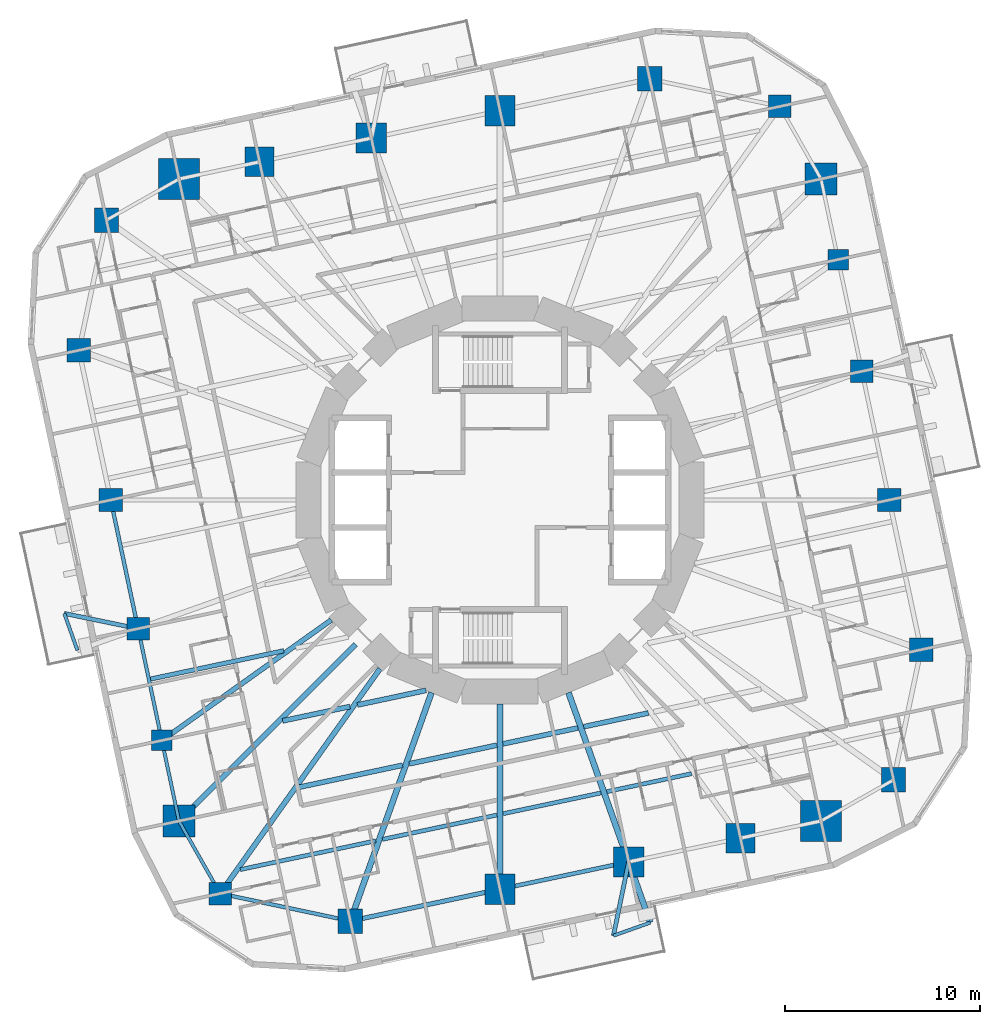
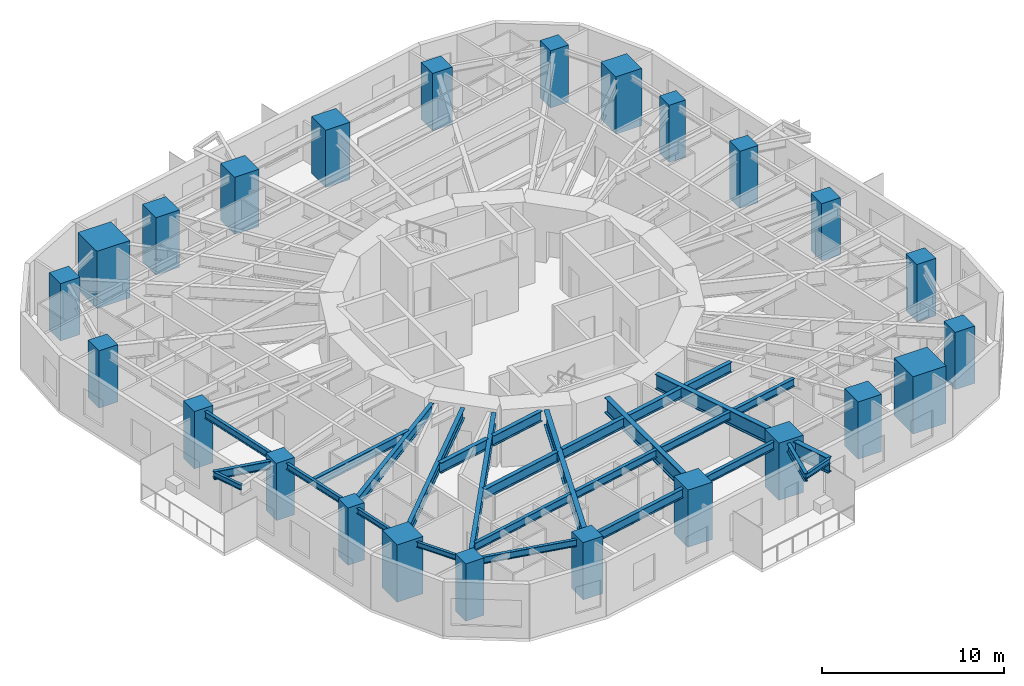
# One storey, part 1 of 14: 28 beams, 24 columns.
"""IFC4 building model written with IfcOpenShell, lengths in metres."""

from ifc_helpers import new_model, si_unit, direction, frame, origin, origin_2d, place, context, subcontext, project, spatial, rectangle, i_section, extrude, material, material_profile, profile_set, type_object, element, save


model = new_model("IFC4")

# Units and contexts
model_context = context("Model", 3, precision=1e-05, world=origin(), true_north=direction((0.0, 1.0)))
body_context = subcontext(model_context, "Body", "Model", "MODEL_VIEW")
ifc_project = project(units=[si_unit("LENGTHUNIT", "METRE"), si_unit("AREAUNIT", "SQUARE_METRE"), si_unit("VOLUMEUNIT", "CUBIC_METRE"), si_unit("PLANEANGLEUNIT", "RADIAN"), si_unit("MASSUNIT", "GRAM", prefix="KILO")], contexts=[model_context])

# Site, building, storey
site_placement = place(None, origin())
site = spatial("IfcSite", under=ifc_project, at=site_placement, CompositionType="ELEMENT")
building_placement = place(site_placement, origin())
building = spatial("IfcBuilding", under=site, at=building_placement, Name="Nakasero Lantern House", CompositionType="ELEMENT")
storey_placement = place(building_placement, frame((0.0, 0.0, 116.550048828125)))
storey = spatial("IfcBuildingStorey", under=building, at=storey_placement, Name="L28", CompositionType="ELEMENT", Elevation=116.550048828125)

# Columns
ifc_material_1 = material(Name="Concrete C50/60", Category="concrete")
ifc_material_profile_1 = material_profile(ifc_material_1, rectangle(XDim=1.64990234375, YDim=1.64990234375, at=origin_2d()), Name="RC 1650x1650")
ifc_profile_set_1 = profile_set([ifc_material_profile_1], Name="Concrete C50/60")
column_type_1 = type_object("IfcColumnType", Name="Mega column RC 1650x1650 C50/60", PredefinedType="COLUMN", material=ifc_profile_set_1)
for number, where, z_axis, x_axis, name in (
    (1, (16.44091796875, 16.44091796875, 0.0), (0.0, 0.0, 1.0), (1.0, 0.0, 0.0), "Column B3-C06 L28"),
    (2, (-16.44091796875, -16.44091796875, 0.0), (0.0, 0.0, 1.0), (1.0, 0.0, 0.0), "Column B3-C18 L28"),
):
    element("IfcColumn", number, at=place(storey_placement, frame(where, z_axis=z_axis, x_axis=x_axis)), inside=storey, type_object=column_type_1, Name=name, PredefinedType="COLUMN", context=body_context, shape_type="SweptSolid", body=[
        extrude(rectangle(XDim=1.64990234375, YDim=1.64990234375, at=origin_2d()), origin(), (0.0, 0.0, 1.0), 3.849853515625),
    ])
ifc_material_2 = material(Name="Concrete C50/60", Category="concrete")
ifc_material_profile_2 = material_profile(ifc_material_2, rectangle(XDim=2.10009765625, YDim=2.10009765625, at=origin_2d()), Name="RC 2100x2100")
ifc_profile_set_2 = profile_set([ifc_material_profile_2], Name="Concrete C50/60")
column_type_2 = type_object("IfcColumnType", Name="Mega column RC 2100x2100 C50/60", PredefinedType="COLUMN", material=ifc_profile_set_2)
for number, where, z_axis, x_axis, name in (
    (3, (-16.44091796875, 16.44091796875, 0.0), (0.0, 0.0, 1.0), (1.0, 0.0, 0.0), "Column B3-C12 L28"),
    (4, (16.44091796875, -16.44091796875, 0.0), (0.0, 0.0, 1.0), (1.0, 0.0, 0.0), "Column B3-C24 L28"),
):
    element("IfcColumn", number, at=place(storey_placement, frame(where, z_axis=z_axis, x_axis=x_axis)), inside=storey, type_object=column_type_2, Name=name, PredefinedType="COLUMN", context=body_context, shape_type="SweptSolid", body=[
        extrude(rectangle(XDim=2.10009765625, YDim=2.10009765625, at=origin_2d()), origin(), (0.0, 0.0, 1.0), 3.849853515625),
    ])
ifc_material_3 = material(Name="Concrete C50/60", Category="concrete")
ifc_material_profile_3 = material_profile(ifc_material_3, rectangle(XDim=1.050048828125, YDim=1.050048828125, at=origin_2d()), Name="RC 1050x1050")
ifc_profile_set_3 = profile_set([ifc_material_profile_3], Name="Concrete C50/60")
column_type_3 = type_object("IfcColumnType", Name="Ring column RC 1050x1050 C50/60", PredefinedType="COLUMN", material=ifc_profile_set_3)
for number, where, z_axis, x_axis, name in (
    (5, (17.318115234375, 12.31494140625, 0.0), (0.0, 0.0, 1.0), (1.0, 0.0, 0.0), "Column B3-C05 L28"),
    (6, (-17.318115234375, -12.31494140625, 0.0), (0.0, 0.0, 1.0), (1.0, 0.0, 0.0), "Column B3-C17 L28"),
):
    element("IfcColumn", number, at=place(storey_placement, frame(where, z_axis=z_axis, x_axis=x_axis)), inside=storey, type_object=column_type_3, Name=name, PredefinedType="COLUMN", context=body_context, shape_type="SweptSolid", body=[
        extrude(rectangle(XDim=1.050048828125, YDim=1.050048828125, at=origin_2d()), origin(), (0.0, 0.0, 1.0), 3.849853515625),
    ])
ifc_material_4 = material(Name="Concrete C50/60", Category="concrete")
ifc_material_profile_4 = material_profile(ifc_material_4, rectangle(XDim=1.14990234375, YDim=1.14990234375, at=origin_2d()), Name="RC 1150x1150")
ifc_profile_set_4 = profile_set([ifc_material_profile_4], Name="Concrete C50/60")
column_type_4 = type_object("IfcColumnType", Name="Ring column RC 1150x1150 C50/60", PredefinedType="COLUMN", material=ifc_profile_set_4)
for number, where, z_axis, x_axis, name in (
    (7, (18.534912109375, 6.590087890625, 0.0), (0.0, 0.0, 1.0), (1.0, 0.0, 0.0), "Column B3-C04 L28"),
    (8, (14.33349609375, 20.15625, 0.0), (0.0, 0.0, 1.0), (1.0, 0.0, 0.0), "Column B3-C07 L28"),
    (9, (-18.534912109375, -6.590087890625, 0.0), (0.0, 0.0, 1.0), (1.0, 0.0, 0.0), "Column B3-C16 L28"),
    (10, (-14.33349609375, -20.15625, 0.0), (0.0, 0.0, 1.0), (1.0, 0.0, 0.0), "Column B3-C19 L28"),
):
    element("IfcColumn", number, at=place(storey_placement, frame(where, z_axis=z_axis, x_axis=x_axis)), inside=storey, type_object=column_type_4, Name=name, PredefinedType="COLUMN", context=body_context, shape_type="SweptSolid", body=[
        extrude(rectangle(XDim=1.14990234375, YDim=1.14990234375, at=origin_2d()), origin(), (0.0, 0.0, 1.0), 3.849853515625),
    ])
ifc_material_5 = material(Name="Concrete C50/60", Category="concrete")
ifc_material_profile_5 = material_profile(ifc_material_5, rectangle(XDim=1.199951171875, YDim=1.199951171875, at=origin_2d()), Name="RC 1200x1200")
ifc_profile_set_5 = profile_set([ifc_material_profile_5], Name="Concrete C50/60")
column_type_5 = type_object("IfcColumnType", Name="Ring column RC 1200x1200 C50/60", PredefinedType="COLUMN", material=ifc_profile_set_5)
for number, where, z_axis, x_axis, name in (
    (11, (21.5654296875, -7.667724609375, 0.0), (0.0, 0.0, 1.0), (1.0, 0.0, 0.0), "Column B3-C02 L28"),
    (12, (19.935546875, 0.0, 0.0), (0.0, 0.0, 1.0), (1.0, 0.0, 0.0), "Column B3-C03 L28"),
    (13, (-21.5654296875, 7.667724609375, 0.0), (0.0, 0.0, 1.0), (1.0, 0.0, 0.0), "Column B3-C14 L28"),
    (14, (-19.935546875, 0.0, 0.0), (0.0, 0.0, 1.0), (1.0, 0.0, 0.0), "Column B3-C15 L28"),
):
    element("IfcColumn", number, at=place(storey_placement, frame(where, z_axis=z_axis, x_axis=x_axis)), inside=storey, type_object=column_type_5, Name=name, PredefinedType="COLUMN", context=body_context, shape_type="SweptSolid", body=[
        extrude(rectangle(XDim=1.199951171875, YDim=1.199951171875, at=origin_2d()), origin(), (0.0, 0.0, 1.0), 3.849853515625),
    ])
ifc_material_6 = material(Name="Concrete C50/60", Category="concrete")
ifc_material_profile_6 = material_profile(ifc_material_6, rectangle(XDim=1.25, YDim=1.25, at=origin_2d()), Name="RC 1250x1250")
ifc_profile_set_6 = profile_set([ifc_material_profile_6], Name="Concrete C50/60")
column_type_6 = type_object("IfcColumnType", Name="Ring column RC 1250x1250 C50/60", PredefinedType="COLUMN", material=ifc_profile_set_6)
for number, where, z_axis, x_axis, name in (
    (15, (20.15625, -14.33349609375, 0.0), (0.0, 0.0, 1.0), (1.0, 0.0, 0.0), "Column B3-C01 L28"),
    (16, (7.667724609375, 21.5654296875, 0.0), (0.0, 0.0, 1.0), (1.0, 0.0, 0.0), "Column B3-C08 L28"),
    (17, (-20.15625, 14.33349609375, 0.0), (0.0, 0.0, 1.0), (1.0, 0.0, 0.0), "Column B3-C13 L28"),
    (18, (-7.667724609375, -21.5654296875, 0.0), (0.0, 0.0, 1.0), (1.0, 0.0, 0.0), "Column B3-C20 L28"),
):
    element("IfcColumn", number, at=place(storey_placement, frame(where, z_axis=z_axis, x_axis=x_axis)), inside=storey, type_object=column_type_6, Name=name, PredefinedType="COLUMN", context=body_context, shape_type="SweptSolid", body=[
        extrude(rectangle(XDim=1.25, YDim=1.25, at=origin_2d()), origin(), (0.0, 0.0, 1.0), 3.849853515625),
    ])
ifc_material_7 = material(Name="Concrete C50/60", Category="concrete")
ifc_material_profile_7 = material_profile(ifc_material_7, rectangle(XDim=1.5, YDim=1.5, at=origin_2d()), Name="RC 1500x1500")
ifc_profile_set_7 = profile_set([ifc_material_profile_7], Name="Concrete C50/60")
column_type_7 = type_object("IfcColumnType", Name="Ring column RC 1500x1500 C50/60", PredefinedType="COLUMN", material=ifc_profile_set_7)
for number, where, z_axis, x_axis, name in (
    (19, (-12.31494140625, 17.318115234375, 0.0), (0.0, 0.0, 1.0), (1.0, 0.0, 0.0), "Column B3-C11 L28"),
    (20, (12.31494140625, -17.318115234375, 0.0), (0.0, 0.0, 1.0), (1.0, 0.0, 0.0), "Column B3-C23 L28"),
):
    element("IfcColumn", number, at=place(storey_placement, frame(where, z_axis=z_axis, x_axis=x_axis)), inside=storey, type_object=column_type_7, Name=name, PredefinedType="COLUMN", context=body_context, shape_type="SweptSolid", body=[
        extrude(rectangle(XDim=1.5, YDim=1.5, at=origin_2d()), origin(), (0.0, 0.0, 1.0), 3.849853515625),
    ])
ifc_material_8 = material(Name="Concrete C50/60", Category="concrete")
ifc_material_profile_8 = material_profile(ifc_material_8, rectangle(XDim=1.550048828125, YDim=1.550048828125, at=origin_2d()), Name="RC 1550x1550")
ifc_profile_set_8 = profile_set([ifc_material_profile_8], Name="Concrete C50/60")
column_type_8 = type_object("IfcColumnType", Name="Ring column RC 1550x1550 C50/60", PredefinedType="COLUMN", material=ifc_profile_set_8)
for number, where, z_axis, x_axis, name in (
    (21, (0.0, 19.935546875, 0.0), (0.0, 0.0, 1.0), (1.0, 0.0, 0.0), "Column B3-C09 L28"),
    (22, (-6.590087890625, 18.534912109375, 0.0), (0.0, 0.0, 1.0), (1.0, 0.0, 0.0), "Column B3-C10 L28"),
    (23, (0.0, -19.935546875, 0.0), (0.0, 0.0, 1.0), (1.0, 0.0, 0.0), "Column B3-C21 L28"),
    (24, (6.590087890625, -18.534912109375, 0.0), (0.0, 0.0, 1.0), (1.0, 0.0, 0.0), "Column B3-C22 L28"),
):
    element("IfcColumn", number, at=place(storey_placement, frame(where, z_axis=z_axis, x_axis=x_axis)), inside=storey, type_object=column_type_8, Name=name, PredefinedType="COLUMN", context=body_context, shape_type="SweptSolid", body=[
        extrude(rectangle(XDim=1.550048828125, YDim=1.550048828125, at=origin_2d()), origin(), (0.0, 0.0, 1.0), 3.849853515625),
    ])

# Beams
ifc_material_9 = material(Name="Steel S355", Category="steel")
ifc_material_profile_9 = material_profile(ifc_material_9, i_section(OverallWidth=0.2138671875, OverallDepth=0.549072265625, WebThickness=0.0146484375, FlangeThickness=0.023681640625, FilletRadius=0.0126953125, at=origin_2d()), Name="UB 533x210x138")
ifc_profile_set_9 = profile_set([ifc_material_profile_9], Name="Steel S355")
beam_type_1 = type_object("IfcBeamType", Name="Balcony splay beam UB 533x210x138", PredefinedType="BEAM", material=ifc_profile_set_9)
for number, where, z_axis, x_axis, name in (
    (25, (-18.534912109375, -6.590087890625, 3.37548828125), (-0.979420272605, 0.201831438605, 0.0), (-0.201831438605, -0.979420272605, 0.0), "Balcony splay beam L29 B3-C16A"),
    (26, (6.590087890625, -18.534912109375, 3.37548828125), (-0.201831438605, -0.979420272605, 0.0), (0.979420272605, -0.201831438605, 0.0), "Balcony splay beam L29 B3-C22A"),
):
    element("IfcBeam", number, at=place(storey_placement, frame(where, z_axis=z_axis, x_axis=x_axis)), inside=storey, type_object=beam_type_1, Name=name, PredefinedType="BEAM", context=body_context, shape_type="SweptSolid", body=[
        extrude(i_section(OverallWidth=0.2138671875, OverallDepth=0.549072265625, WebThickness=0.0146484375, FlangeThickness=0.023681640625, FilletRadius=0.0126953125, at=origin_2d()), origin(), (0.0, 0.0, 1.0), 3.858642578125),
    ])
ifc_material_10 = material(Name="Steel S355", Category="steel")
ifc_material_profile_10 = material_profile(ifc_material_10, i_section(OverallWidth=0.17138671875, OverallDepth=0.35498046875, WebThickness=0.00732421875, FlangeThickness=0.011474609375, FilletRadius=0.01025390625, at=origin_2d()), Name="UB 356x171x51")
ifc_profile_set_10 = profile_set([ifc_material_profile_10], Name="Steel S355")
beam_type_2 = type_object("IfcBeamType", Name="Balcony tie beam UB 356x171x51", PredefinedType="BEAM", material=ifc_profile_set_10)
for number, where, z_axis, x_axis, name in (
    (27, (-22.314208984375, -5.811279296875, 3.472412109375), (0.335060236487, -0.942196708721, 0.0), (0.942196708721, 0.335060236487, 0.0), "Balcony tie beam L29 B3-C16"),
    (28, (5.811279296875, -22.314208984375, 3.472412109375), (0.942196708721, 0.335060236487, 0.0), (-0.335060236487, 0.942196708721, 0.0), "Balcony tie beam L29 B3-C22"),
):
    element("IfcBeam", number, at=place(storey_placement, frame(where, z_axis=z_axis, x_axis=x_axis)), inside=storey, type_object=beam_type_2, Name=name, PredefinedType="BEAM", context=body_context, shape_type="SweptSolid", body=[
        extrude(i_section(OverallWidth=0.17138671875, OverallDepth=0.35498046875, WebThickness=0.00732421875, FlangeThickness=0.011474609375, FilletRadius=0.01025390625, at=origin_2d()), origin(), (0.0, 0.0, 1.0), 2.000244140625),
    ])
ifc_material_11 = material(Name="Steel S355", Category="steel")
ifc_material_profile_11 = material_profile(ifc_material_11, i_section(OverallWidth=0.2099609375, OverallDepth=0.53662109375, WebThickness=0.0107421875, FlangeThickness=0.017333984375, FilletRadius=0.0126953125, at=origin_2d()), Name="UB 533x210x101")
ifc_profile_set_11 = profile_set([ifc_material_profile_11], Name="Steel S355")
beam_type_3 = type_object("IfcBeamType", Name="Infill beam UB 533x210x101", PredefinedType="JOIST", material=ifc_profile_set_11)
beam_1_placement = place(storey_placement, frame((-13.29638671875, -18.927978515625, 3.381591796875), z_axis=(0.978149480204, 0.207902848411, 0.0), x_axis=(-0.207902848411, 0.978149480204, 0.0)))
element("IfcBeam", 29, at=beam_1_placement, inside=storey, type_object=beam_type_3, Name="Infill beam L29 03.1", PredefinedType="JOIST", context=body_context, shape_type="SweptSolid", body=[
    extrude(i_section(OverallWidth=0.2099609375, OverallDepth=0.53662109375, WebThickness=0.0107421875, FlangeThickness=0.017333984375, FilletRadius=0.0126953125, at=origin_2d()), origin(), (0.0, 0.0, 1.0), 7.085693359375),
])
beam_2_placement = place(storey_placement, frame((-6.02099609375, -17.381591796875, 3.381591796875), z_axis=(0.978149438519, 0.207903044531, 0.0), x_axis=(-0.207903044531, 0.978149438519, 0.0)))
element("IfcBeam", 30, at=beam_2_placement, inside=storey, type_object=beam_type_3, Name="Infill beam L29 03.2", PredefinedType="JOIST", context=body_context, shape_type="SweptSolid", body=[
    extrude(i_section(OverallWidth=0.2099609375, OverallDepth=0.53662109375, WebThickness=0.0107421875, FlangeThickness=0.017333984375, FilletRadius=0.0126953125, at=origin_2d()), origin(), (0.0, 0.0, 1.0), 5.99951171875),
])
beam_3_placement = place(storey_placement, frame((0.152587890625, -16.0693359375, 3.381591796875), z_axis=(0.978153894908, 0.207882076853, 0.0), x_axis=(-0.207882076853, 0.978153894908, 0.0)))
element("IfcBeam", 31, at=beam_3_placement, inside=storey, type_object=beam_type_3, Name="Infill beam L29 03.3", PredefinedType="JOIST", context=body_context, shape_type="SweptSolid", body=[
    extrude(i_section(OverallWidth=0.2099609375, OverallDepth=0.53662109375, WebThickness=0.0107421875, FlangeThickness=0.017333984375, FilletRadius=0.0126953125, at=origin_2d()), origin(), (0.0, 0.0, 1.0), 5.13330078125),
])
beam_4_placement = place(storey_placement, frame((5.471923828125, -14.938720703125, 3.381591796875), z_axis=(0.978149057111, 0.207904838982, 0.0), x_axis=(-0.207904838982, 0.978149057111, 0.0)))
element("IfcBeam", 32, at=beam_4_placement, inside=storey, type_object=beam_type_3, Name="Infill beam L29 03.4", PredefinedType="JOIST", context=body_context, shape_type="SweptSolid", body=[
    extrude(i_section(OverallWidth=0.2099609375, OverallDepth=0.53662109375, WebThickness=0.0107421875, FlangeThickness=0.017333984375, FilletRadius=0.0126953125, at=origin_2d()), origin(), (0.0, 0.0, 1.0), 4.435302734375),
])
ifc_material_12 = material(Name="Steel S355", Category="steel")
ifc_material_profile_12 = material_profile(ifc_material_12, i_section(OverallWidth=0.2275390625, OverallDepth=0.6025390625, WebThickness=0.010498046875, FlangeThickness=0.014892578125, FilletRadius=0.0126953125, at=origin_2d()), Name="UB 610x229x101")
ifc_profile_set_12 = profile_set([ifc_material_profile_12], Name="Steel S355")
beam_type_4 = type_object("IfcBeamType", Name="Infill beam UB 610x229x101", PredefinedType="JOIST", material=ifc_profile_set_12)
beam_5_placement = place(storey_placement, frame((-17.895263671875, -9.171142578125, 3.3486328125), z_axis=(0.978143535939, 0.207930813255, 0.0), x_axis=(-0.207930813255, 0.978143535939, 0.0)))
element("IfcBeam", 33, at=beam_5_placement, inside=storey, type_object=beam_type_4, Name="Infill beam L29 06.1", PredefinedType="JOIST", context=body_context, shape_type="SweptSolid", body=[
    extrude(i_section(OverallWidth=0.2275390625, OverallDepth=0.6025390625, WebThickness=0.010498046875, FlangeThickness=0.014892578125, FilletRadius=0.0126953125, at=origin_2d()), origin(), (0.0, 0.0, 1.0), 6.9697265625),
])
ifc_material_13 = material(Name="Steel S355", Category="steel")
ifc_material_profile_13 = material_profile(ifc_material_13, i_section(OverallWidth=0.253662109375, OverallDepth=0.68359375, WebThickness=0.012451171875, FlangeThickness=0.01904296875, FilletRadius=0.01513671875, at=origin_2d()), Name="UB 686x254x140")
ifc_profile_set_13 = profile_set([ifc_material_profile_13], Name="Steel S355")
beam_type_5 = type_object("IfcBeamType", Name="Infill beam UB 686x254x140", PredefinedType="JOIST", material=ifc_profile_set_13)
beam_6_placement = place(storey_placement, frame((-10.298828125, -14.712646484375, 3.30810546875), z_axis=(0.978155764637, 0.207873278962, 0.0), x_axis=(-0.207873278962, 0.978155764637, 0.0)))
element("IfcBeam", 34, at=beam_6_placement, inside=storey, type_object=beam_type_5, Name="Infill beam L29 04.1", PredefinedType="JOIST", context=body_context, shape_type="SweptSolid", body=[
    extrude(i_section(OverallWidth=0.253662109375, OverallDepth=0.68359375, WebThickness=0.012451171875, FlangeThickness=0.01904296875, FilletRadius=0.01513671875, at=origin_2d()), origin(), (0.0, 0.0, 1.0), 5.428466796875),
])
beam_7_placement = place(storey_placement, frame((-4.644775390625, -13.510986328125, 3.30810546875), z_axis=(0.978148041119, 0.207909618957, 0.0), x_axis=(-0.207909618957, 0.978148041119, 0.0)))
element("IfcBeam", 35, at=beam_7_placement, inside=storey, type_object=beam_type_5, Name="Infill beam L29 04.2", PredefinedType="JOIST", context=body_context, shape_type="SweptSolid", body=[
    extrude(i_section(OverallWidth=0.253662109375, OverallDepth=0.68359375, WebThickness=0.012451171875, FlangeThickness=0.01904296875, FilletRadius=0.01513671875, at=origin_2d()), origin(), (0.0, 0.0, 1.0), 4.592529296875),
])
beam_8_placement = place(storey_placement, frame((0.152587890625, -12.4912109375, 3.30810546875), z_axis=(0.978145250615, 0.20792274695, 0.0), x_axis=(-0.20792274695, 0.978145250615, 0.0)))
element("IfcBeam", 36, at=beam_8_placement, inside=storey, type_object=beam_type_5, Name="Infill beam L29 04.3", PredefinedType="JOIST", context=body_context, shape_type="SweptSolid", body=[
    extrude(i_section(OverallWidth=0.253662109375, OverallDepth=0.68359375, WebThickness=0.012451171875, FlangeThickness=0.01904296875, FilletRadius=0.01513671875, at=origin_2d()), origin(), (0.0, 0.0, 1.0), 3.924072265625),
])
beam_9_placement = place(storey_placement, frame((4.2890625, -11.612060546875, 3.30810546875), z_axis=(0.978143084163, 0.207932938478, 0.0), x_axis=(-0.207932938478, 0.978143084163, 0.0)))
element("IfcBeam", 37, at=beam_9_placement, inside=storey, type_object=beam_type_5, Name="Infill beam L29 04.4", PredefinedType="JOIST", context=body_context, shape_type="SweptSolid", body=[
    extrude(i_section(OverallWidth=0.253662109375, OverallDepth=0.68359375, WebThickness=0.012451171875, FlangeThickness=0.01904296875, FilletRadius=0.01513671875, at=origin_2d()), origin(), (0.0, 0.0, 1.0), 3.385009765625),
])
ifc_material_14 = material(Name="Steel S355", Category="steel")
ifc_material_profile_14 = material_profile(ifc_material_14, i_section(OverallWidth=0.255859375, OverallDepth=0.69287109375, WebThickness=0.014404296875, FlangeThickness=0.023681640625, FilletRadius=0.01513671875, at=origin_2d()), Name="UB 686x254x170")
ifc_profile_set_14 = profile_set([ifc_material_profile_14], Name="Steel S355")
beam_type_6 = type_object("IfcBeamType", Name="Infill beam UB 686x254x170", PredefinedType="JOIST", material=ifc_profile_set_14)
beam_10_placement = place(storey_placement, frame((-11.13232421875, -11.311767578125, 3.303466796875), z_axis=(0.97814493323, 0.20792424004, 0.0), x_axis=(-0.20792424004, 0.97814493323, 0.0)))
element("IfcBeam", 38, at=beam_10_placement, inside=storey, type_object=beam_type_6, Name="Infill beam L29 05.1", PredefinedType="JOIST", context=body_context, shape_type="SweptSolid", body=[
    extrude(i_section(OverallWidth=0.255859375, OverallDepth=0.69287109375, WebThickness=0.014404296875, FlangeThickness=0.023681640625, FilletRadius=0.01513671875, at=origin_2d()), origin(), (0.0, 0.0, 1.0), 3.5224609375),
])
beam_11_placement = place(storey_placement, frame((-7.30126953125, -10.497314453125, 3.303466796875), z_axis=(0.978149176892, 0.207904275439, 0.0), x_axis=(-0.207904275439, 0.978149176892, 0.0)))
element("IfcBeam", 39, at=beam_11_placement, inside=storey, type_object=beam_type_6, Name="Infill beam L29 05.2", PredefinedType="JOIST", context=body_context, shape_type="SweptSolid", body=[
    extrude(i_section(OverallWidth=0.255859375, OverallDepth=0.69287109375, WebThickness=0.014404296875, FlangeThickness=0.023681640625, FilletRadius=0.01513671875, at=origin_2d()), origin(), (0.0, 0.0, 1.0), 3.59228515625),
])
ifc_material_15 = material(Name="Steel S355", Category="steel")
ifc_material_profile_15 = material_profile(ifc_material_15, i_section(OverallWidth=0.300048828125, OverallDepth=0.989990234375, WebThickness=0.0166015625, FlangeThickness=0.031005859375, FilletRadius=0.030029296875, at=origin_2d()), Name="UB 1016x305x272")
ifc_profile_set_15 = profile_set([ifc_material_profile_15], Name="Steel S355")
beam_type_7 = type_object("IfcBeamType", Name="Primary beam UB 1016x305x272, span 12 to 15 m", PredefinedType="BEAM", material=ifc_profile_set_15)
beam_12_placement = place(storey_placement, frame((-7.667724609375, -21.5654296875, 3.15478515625), z_axis=(0.335011995103, 0.942213862739, 0.0), x_axis=(-0.942213862739, 0.335011995103, 0.0)))
element("IfcBeam", 40, at=beam_12_placement, inside=storey, type_object=beam_type_7, Name="Primary beam L29 B3-C20", PredefinedType="BEAM", context=body_context, shape_type="SweptSolid", body=[
    extrude(i_section(OverallWidth=0.300048828125, OverallDepth=0.989990234375, WebThickness=0.0166015625, FlangeThickness=0.031005859375, FilletRadius=0.030029296875, at=origin_2d()), origin(), (0.0, 0.0, 1.0), 12.41650390625),
])
ifc_material_16 = material(Name="Steel S355", Category="steel")
ifc_material_profile_16 = material_profile(ifc_material_16, i_section(OverallWidth=0.302001953125, OverallDepth=1.008056640625, WebThickness=0.02099609375, FlangeThickness=0.0400390625, FilletRadius=0.030029296875, at=origin_2d()), Name="UB 1016x305x349")
ifc_profile_set_16 = profile_set([ifc_material_profile_16], Name="Steel S355")
beam_type_8 = type_object("IfcBeamType", Name="Primary beam UB 1016x305x349, span 9 to 12 m", PredefinedType="BEAM", material=ifc_profile_set_16)
beam_13_placement = place(storey_placement, frame((7.69580078125, -21.64404296875, 3.14599609375), z_axis=(-0.335020841845, 0.942210717159, 0.0), x_axis=(-0.942210717159, -0.335020841845, 0.0)))
element("IfcBeam", 41, at=beam_13_placement, inside=storey, type_object=beam_type_8, Name="Primary beam L29 B3-C22", PredefinedType="BEAM", context=body_context, shape_type="SweptSolid", body=[
    extrude(i_section(OverallWidth=0.302001953125, OverallDepth=1.008056640625, WebThickness=0.02099609375, FlangeThickness=0.0400390625, FilletRadius=0.030029296875, at=origin_2d()), origin(), (0.0, 0.0, 1.0), 12.5),
])
ifc_material_17 = material(Name="Steel S355", Category="steel")
ifc_material_profile_17 = material_profile(ifc_material_17, i_section(OverallWidth=0.305419921875, OverallDepth=1.026123046875, WebThickness=0.02685546875, FlangeThickness=0.049072265625, FilletRadius=0.030029296875, at=origin_2d()), Name="UB 1016x305x437")
ifc_profile_set_17 = profile_set([ifc_material_profile_17], Name="Steel S355")
beam_type_9 = type_object("IfcBeamType", Name="Primary beam UB 1016x305x437, span 9 to 12 m", PredefinedType="BEAM", material=ifc_profile_set_17)
beam_14_placement = place(storey_placement, frame((0.0, -19.935546875, 3.136962890625), z_axis=(0.0, 1.0, 0.0), x_axis=(-1.0, 0.0, 0.0)))
element("IfcBeam", 42, at=beam_14_placement, inside=storey, type_object=beam_type_9, Name="Primary beam L29 B3-C21", PredefinedType="BEAM", context=body_context, shape_type="SweptSolid", body=[
    extrude(i_section(OverallWidth=0.305419921875, OverallDepth=1.026123046875, WebThickness=0.02685546875, FlangeThickness=0.049072265625, FilletRadius=0.030029296875, at=origin_2d()), origin(), (0.0, 0.0, 1.0), 9.477783203125),
])
ifc_material_18 = material(Name="Steel S355", Category="steel")
ifc_material_profile_18 = material_profile(ifc_material_18, i_section(OverallWidth=0.253662109375, OverallDepth=0.68359375, WebThickness=0.012451171875, FlangeThickness=0.01904296875, FilletRadius=0.01513671875, at=origin_2d()), Name="UB 686x254x140")
ifc_profile_set_18 = profile_set([ifc_material_profile_18], Name="Steel S355")
beam_type_10 = type_object("IfcBeamType", Name="Primary beam UB 686x254x140, span 12 to 15 m", PredefinedType="BEAM", material=ifc_profile_set_18)
beam_15_placement = place(storey_placement, frame((-16.44091796875, -16.44091796875, 3.30810546875), z_axis=(0.707106781187, 0.707106781187, 0.0), x_axis=(-0.707106781187, 0.707106781187, 0.0)))
element("IfcBeam", 43, at=beam_15_placement, inside=storey, type_object=beam_type_10, Name="Primary beam L29 B3-C18", PredefinedType="BEAM", context=body_context, shape_type="SweptSolid", body=[
    extrude(i_section(OverallWidth=0.253662109375, OverallDepth=0.68359375, WebThickness=0.012451171875, FlangeThickness=0.01904296875, FilletRadius=0.01513671875, at=origin_2d()), origin(), (0.0, 0.0, 1.0), 12.793212890625),
])
ifc_material_19 = material(Name="Steel S355", Category="steel")
ifc_material_profile_19 = material_profile(ifc_material_19, i_section(OverallWidth=0.253662109375, OverallDepth=0.68359375, WebThickness=0.012451171875, FlangeThickness=0.01904296875, FilletRadius=0.01513671875, at=origin_2d()), Name="UB 686x254x140")
ifc_profile_set_19 = profile_set([ifc_material_profile_19], Name="Steel S355")
beam_type_11 = type_object("IfcBeamType", Name="Primary beam UB 686x254x140, span 9 to 12 m", PredefinedType="BEAM", material=ifc_profile_set_19)
beam_16_placement = place(storey_placement, frame((-17.318115234375, -12.31494140625, 3.30810546875), z_axis=(0.814957491022, 0.579520739774, 0.0), x_axis=(-0.579520739774, 0.814957491022, 0.0)))
element("IfcBeam", 44, at=beam_16_placement, inside=storey, type_object=beam_type_11, Name="Primary beam L29 B3-C17", PredefinedType="BEAM", context=body_context, shape_type="SweptSolid", body=[
    extrude(i_section(OverallWidth=0.253662109375, OverallDepth=0.68359375, WebThickness=0.012451171875, FlangeThickness=0.01904296875, FilletRadius=0.01513671875, at=origin_2d()), origin(), (0.0, 0.0, 1.0), 10.64453125),
])
ifc_material_20 = material(Name="Steel S355", Category="steel")
ifc_material_profile_20 = material_profile(ifc_material_20, i_section(OverallWidth=0.2666015625, OverallDepth=0.76220703125, WebThickness=0.014404296875, FlangeThickness=0.021484375, FilletRadius=0.0166015625, at=origin_2d()), Name="UB 762x267x173")
ifc_profile_set_20 = profile_set([ifc_material_profile_20], Name="Steel S355")
beam_type_12 = type_object("IfcBeamType", Name="Primary beam UB 762x267x173, span 12 to 15 m", PredefinedType="BEAM", material=ifc_profile_set_20)
beam_17_placement = place(storey_placement, frame((-14.33349609375, -20.15625, 3.268798828125), z_axis=(0.57953679421, 0.814946074386, 0.0), x_axis=(-0.814946074386, 0.57953679421, 0.0)))
element("IfcBeam", 45, at=beam_17_placement, inside=storey, type_object=beam_type_12, Name="Primary beam L29 B3-C19", PredefinedType="BEAM", context=body_context, shape_type="SweptSolid", body=[
    extrude(i_section(OverallWidth=0.2666015625, OverallDepth=0.76220703125, WebThickness=0.014404296875, FlangeThickness=0.021484375, FilletRadius=0.0166015625, at=origin_2d()), origin(), (0.0, 0.0, 1.0), 14.127197265625),
])
ifc_material_21 = material(Name="Steel S355", Category="steel")
ifc_material_profile_21 = material_profile(ifc_material_21, i_section(OverallWidth=0.17138671875, OverallDepth=0.35498046875, WebThickness=0.00732421875, FlangeThickness=0.011474609375, FilletRadius=0.01025390625, at=origin_2d()), Name="UB 356x171x51")
ifc_profile_set_21 = profile_set([ifc_material_profile_21], Name="Steel S355")
beam_type_13 = type_object("IfcBeamType", Name="Ring beam UB 356x171x51", PredefinedType="BEAM", material=ifc_profile_set_21)
beam_18_placement = place(storey_placement, frame((-17.318115234375, -12.31494140625, 3.472412109375), z_axis=(0.207955665195, -0.978138252658, 0.0), x_axis=(0.978138252658, 0.207955665195, 0.0)))
element("IfcBeam", 46, at=beam_18_placement, inside=storey, type_object=beam_type_13, Name="Ring beam L29 B3-C17", PredefinedType="BEAM", context=body_context, shape_type="SweptSolid", body=[
    extrude(i_section(OverallWidth=0.17138671875, OverallDepth=0.35498046875, WebThickness=0.00732421875, FlangeThickness=0.011474609375, FilletRadius=0.01025390625, at=origin_2d()), origin(), (0.0, 0.0, 1.0), 4.21826171875),
])
beam_19_placement = place(storey_placement, frame((-16.44091796875, -16.44091796875, 3.472412109375), z_axis=(0.493378832737, -0.869814536213, 0.0), x_axis=(0.869814536213, 0.493378832737, 0.0)))
element("IfcBeam", 47, at=beam_19_placement, inside=storey, type_object=beam_type_13, Name="Ring beam L29 B3-C18", PredefinedType="BEAM", context=body_context, shape_type="SweptSolid", body=[
    extrude(i_section(OverallWidth=0.17138671875, OverallDepth=0.35498046875, WebThickness=0.00732421875, FlangeThickness=0.011474609375, FilletRadius=0.01025390625, at=origin_2d()), origin(), (0.0, 0.0, 1.0), 4.271484375),
])
ifc_material_22 = material(Name="Steel S355", Category="steel")
ifc_material_profile_22 = material_profile(ifc_material_22, i_section(OverallWidth=0.177978515625, OverallDepth=0.406494140625, WebThickness=0.0078125, FlangeThickness=0.0126953125, FilletRadius=0.01025390625, at=origin_2d()), Name="UB 406x178x60")
ifc_profile_set_22 = profile_set([ifc_material_profile_22], Name="Steel S355")
beam_type_14 = type_object("IfcBeamType", Name="Ring beam UB 406x178x60", PredefinedType="BEAM", material=ifc_profile_set_22)
beam_20_placement = place(storey_placement, frame((-18.534912109375, -6.590087890625, 3.44677734375), z_axis=(0.207902159541, -0.978149626621, 0.0), x_axis=(0.978149626621, 0.207902159541, 0.0)))
element("IfcBeam", 48, at=beam_20_placement, inside=storey, type_object=beam_type_14, Name="Ring beam L29 B3-C16", PredefinedType="BEAM", context=body_context, shape_type="SweptSolid", body=[
    extrude(i_section(OverallWidth=0.177978515625, OverallDepth=0.406494140625, WebThickness=0.0078125, FlangeThickness=0.0126953125, FilletRadius=0.01025390625, at=origin_2d()), origin(), (0.0, 0.0, 1.0), 5.852783203125),
])
ifc_material_23 = material(Name="Steel S355", Category="steel")
ifc_material_profile_23 = material_profile(ifc_material_23, i_section(OverallWidth=0.19140625, OverallDepth=0.4599609375, WebThickness=0.010009765625, FlangeThickness=0.01611328125, FilletRadius=0.01025390625, at=origin_2d()), Name="UB 457x191x82")
ifc_profile_set_23 = profile_set([ifc_material_profile_23], Name="Steel S355")
beam_type_15 = type_object("IfcBeamType", Name="Ring beam UB 457x191x82", PredefinedType="BEAM", material=ifc_profile_set_23)
beam_21_placement = place(storey_placement, frame((-19.935546875, 0.0, 3.419921875), z_axis=(0.20789299389, -0.978151574702, 0.0), x_axis=(0.978151574702, 0.20789299389, 0.0)))
element("IfcBeam", 49, at=beam_21_placement, inside=storey, type_object=beam_type_15, Name="Ring beam L29 B3-C15", PredefinedType="BEAM", context=body_context, shape_type="SweptSolid", body=[
    extrude(i_section(OverallWidth=0.19140625, OverallDepth=0.4599609375, WebThickness=0.010009765625, FlangeThickness=0.01611328125, FilletRadius=0.01025390625, at=origin_2d()), origin(), (0.0, 0.0, 1.0), 6.7373046875),
])
beam_22_placement = place(storey_placement, frame((-14.33349609375, -20.15625, 3.419921875), z_axis=(0.978376066473, -0.206833925052, 0.0), x_axis=(0.206833925052, 0.978376066473, 0.0)))
element("IfcBeam", 50, at=beam_22_placement, inside=storey, type_object=beam_type_15, Name="Ring beam L29 B3-C19", PredefinedType="BEAM", context=body_context, shape_type="SweptSolid", body=[
    extrude(i_section(OverallWidth=0.19140625, OverallDepth=0.4599609375, WebThickness=0.010009765625, FlangeThickness=0.01611328125, FilletRadius=0.01025390625, at=origin_2d()), origin(), (0.0, 0.0, 1.0), 6.81298828125),
])
ifc_material_24 = material(Name="Steel S355", Category="steel")
ifc_material_profile_24 = material_profile(ifc_material_24, i_section(OverallWidth=0.2099609375, OverallDepth=0.53662109375, WebThickness=0.0107421875, FlangeThickness=0.017333984375, FilletRadius=0.0126953125, at=origin_2d()), Name="UB 533x210x101")
ifc_profile_set_24 = profile_set([ifc_material_profile_24], Name="Steel S355")
beam_type_16 = type_object("IfcBeamType", Name="Ring beam UB 533x210x101", PredefinedType="BEAM", material=ifc_profile_set_24)
beam_23_placement = place(storey_placement, frame((0.0, -19.935546875, 3.381591796875), z_axis=(0.978151574702, 0.20789299389, 0.0), x_axis=(-0.20789299389, 0.978151574702, 0.0)))
element("IfcBeam", 51, at=beam_23_placement, inside=storey, type_object=beam_type_16, Name="Ring beam L29 B3-C21", PredefinedType="BEAM", context=body_context, shape_type="SweptSolid", body=[
    extrude(i_section(OverallWidth=0.2099609375, OverallDepth=0.53662109375, WebThickness=0.0107421875, FlangeThickness=0.017333984375, FilletRadius=0.0126953125, at=origin_2d()), origin(), (0.0, 0.0, 1.0), 6.7373046875),
])
ifc_material_25 = material(Name="Steel S355", Category="steel")
ifc_material_profile_25 = material_profile(ifc_material_25, i_section(OverallWidth=0.22900390625, OverallDepth=0.6123046875, WebThickness=0.011962890625, FlangeThickness=0.01953125, FilletRadius=0.0126953125, at=origin_2d()), Name="UB 610x229x125")
ifc_profile_set_25 = profile_set([ifc_material_profile_25], Name="Steel S355")
beam_type_17 = type_object("IfcBeamType", Name="Ring beam UB 610x229x125", PredefinedType="BEAM", material=ifc_profile_set_25)
beam_24_placement = place(storey_placement, frame((-7.667724609375, -21.5654296875, 3.34375), z_axis=(0.978146105516, 0.207918725139, 0.0), x_axis=(-0.207918725139, 0.978146105516, 0.0)))
element("IfcBeam", 52, at=beam_24_placement, inside=storey, type_object=beam_type_17, Name="Ring beam L29 B3-C20", PredefinedType="BEAM", context=body_context, shape_type="SweptSolid", body=[
    extrude(i_section(OverallWidth=0.22900390625, OverallDepth=0.6123046875, WebThickness=0.011962890625, FlangeThickness=0.01953125, FilletRadius=0.0126953125, at=origin_2d()), origin(), (0.0, 0.0, 1.0), 7.839111328125),
])

save(model, "model.ifc")
